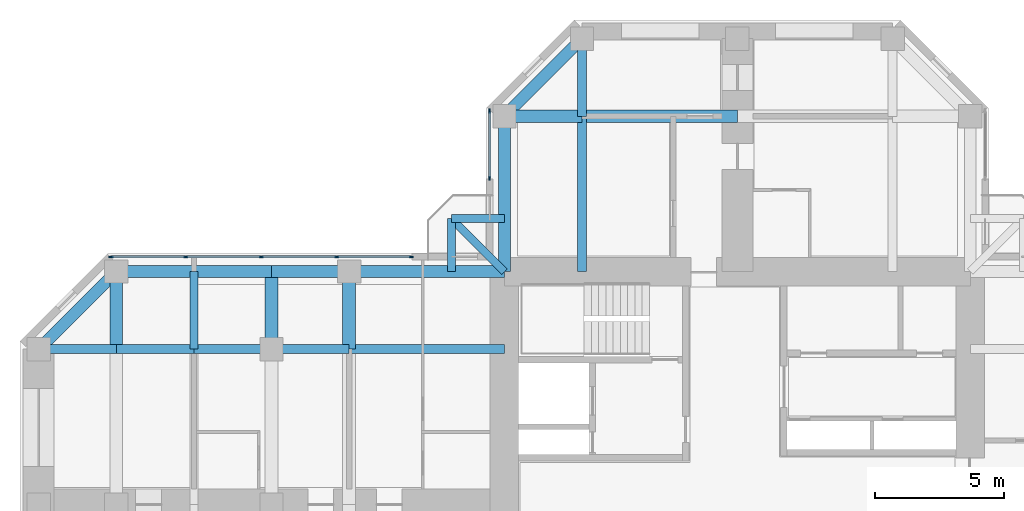
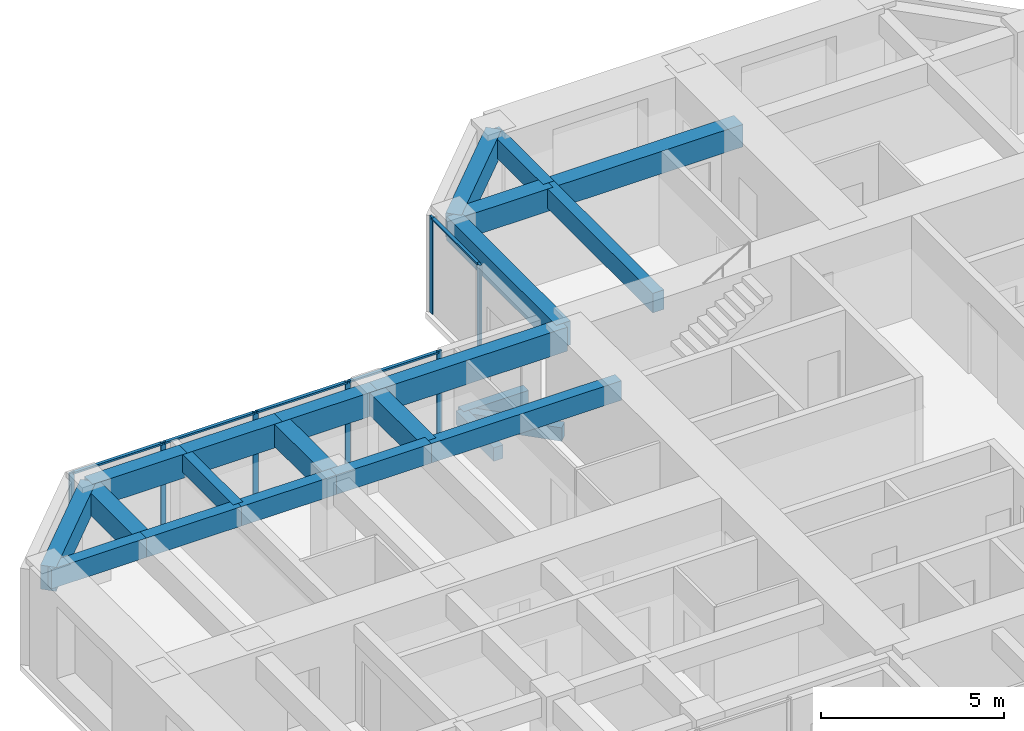
# One storey, part 5 of 14: 23 beams, 12 members, 2 elements without a shape of their own.
"""IFC4 building model written with IfcOpenShell, lengths in metres."""

from ifc_helpers import new_model, si_unit, direction, frame, origin, origin_2d, place, context, subcontext, project, spatial, rectangle, extrude, material, material_profile, profile_set, type_object, element, aggregate, save


model = new_model("IFC4")

# Units and contexts
model_context = context("Model", 3, precision=1e-05, world=origin(), true_north=direction((0.0, 1.0)))
body_context = subcontext(model_context, "Body", "Model", "MODEL_VIEW")
ifc_project = project(units=[si_unit("LENGTHUNIT", "METRE"), si_unit("AREAUNIT", "SQUARE_METRE"), si_unit("VOLUMEUNIT", "CUBIC_METRE"), si_unit("PLANEANGLEUNIT", "RADIAN"), si_unit("MASSUNIT", "GRAM", prefix="KILO")], contexts=[model_context])

# Site, building, storey
site_placement = place(None, origin())
site = spatial("IfcSite", under=ifc_project, at=site_placement, CompositionType="ELEMENT")
building_placement = place(site_placement, origin())
building = spatial("IfcBuilding", under=site, at=building_placement, Name="Torre Cruceta", CompositionType="ELEMENT")
storey_placement = place(building_placement, frame((0.0, 0.0, 169.5)))
storey = spatial("IfcBuildingStorey", under=building, at=storey_placement, Name="L41", CompositionType="ELEMENT", Elevation=169.5)

# Beams
ifc_material_1 = material(Name="Concrete G60 (fck 60 MPa)", Category="concrete")
ifc_material_profile_1 = material_profile(ifc_material_1, rectangle(XDim=0.300048828125, YDim=0.449951171875, at=origin_2d()), Name="RC 300X450")
ifc_profile_set_1 = profile_set([ifc_material_profile_1], Name="Concrete G60 (fck 60 MPa)")
beam_type_1 = type_object("IfcBeamType", Name="BALCONY CANTILEVER BEAM RC 300X450", PredefinedType="BEAM", material=ifc_profile_set_1)
beam_1_placement = place(storey_placement, frame((-9.0, 9.0, -0.405029296875), z_axis=(-0.707106781187, 0.707106781187, 0.0), x_axis=(-0.707106781187, -0.707106781187, 0.0)))
element("IfcBeam", 1, at=beam_1_placement, inside=storey, type_object=beam_type_1, Name="BB1 balcony beam L41 N", PredefinedType="BEAM", context=body_context, shape_type="SweptSolid", body=[
    extrude(rectangle(XDim=0.300048828125, YDim=0.449951171875, at=origin_2d()), origin(), (0.0, 0.0, 1.0), 2.89990234375),
])
for number, where, z_axis, x_axis, name in (
    (2, (-11.050537109375, 9.0, -0.405029296875), (0.0, 1.0, 0.0), (-1.0, 0.0, 0.0), "BB1 balcony edge beam L41 N-X"),
    (3, (-9.0, 11.050537109375, -0.405029296875), (-1.0, 0.0, 0.0), (0.0, -1.0, 0.0), "BB1 balcony edge beam L41 N-Y"),
):
    element("IfcBeam", number, at=place(storey_placement, frame(where, z_axis=z_axis, x_axis=x_axis)), inside=storey, type_object=beam_type_1, Name=name, PredefinedType="BEAM", context=body_context, shape_type="SweptSolid", body=[
        extrude(rectangle(XDim=0.300048828125, YDim=0.449951171875, at=origin_2d()), origin(), (0.0, 0.0, 1.0), 2.050537109375),
    ])
ifc_material_2 = material(Name="Concrete G60 (fck 60 MPa)", Category="concrete")
ifc_material_profile_2 = material_profile(ifc_material_2, rectangle(XDim=0.35009765625, YDim=0.64990234375, at=origin_2d()), Name="RC 350X650")
ifc_profile_set_2 = profile_set([ifc_material_profile_2], Name="Concrete G60 (fck 60 MPa)")
beam_type_2 = type_object("IfcBeamType", Name="COLUMN LINE BEAM RC 350X650", PredefinedType="BEAM", material=ifc_profile_set_2)
beam_2_placement = place(storey_placement, frame((-6.0, 9.0, 2.89501953125), z_axis=(0.0, 1.0, 0.0), x_axis=(-1.0, 0.0, 0.0)))
element("IfcBeam", 4, at=beam_2_placement, inside=storey, type_object=beam_type_2, Name="LB7 L41 N col+ 1", PredefinedType="BEAM", context=body_context, shape_type="SweptSolid", body=[
    extrude(rectangle(XDim=0.35009765625, YDim=0.64990234375, at=origin_2d()), origin(), (0.0, 0.0, 1.0), 6.0),
])
beam_3_placement = place(storey_placement, frame((-6.0, 15.0, 2.89501953125), z_axis=(0.0, 1.0, 0.0), x_axis=(-1.0, 0.0, 0.0)))
element("IfcBeam", 5, at=beam_3_placement, inside=storey, type_object=beam_type_2, Name="LB7 L41 N col+ 2", PredefinedType="BEAM", context=body_context, shape_type="SweptSolid", body=[
    extrude(rectangle(XDim=0.35009765625, YDim=0.64990234375, at=origin_2d()), origin(), (0.0, 0.0, 1.0), 3.0),
])
beam_4_placement = place(storey_placement, frame((-9.0, 6.0, 2.89501953125), z_axis=(-1.0, 0.0, 0.0), x_axis=(0.0, -1.0, 0.0)))
element("IfcBeam", 6, at=beam_4_placement, inside=storey, type_object=beam_type_2, Name="LB7 L41 W col- 1", PredefinedType="BEAM", context=body_context, shape_type="SweptSolid", body=[
    extrude(rectangle(XDim=0.35009765625, YDim=0.64990234375, at=origin_2d()), origin(), (0.0, 0.0, 1.0), 6.0),
])
for number, where, z_axis, x_axis, name in (
    (7, (-15.0, 6.0, 2.89501953125), (-1.0, 0.0, 0.0), (0.0, -1.0, 0.0), "LB7 L41 W col- 2"),
    (8, (-18.0, 6.0, 2.89501953125), (-1.0, 0.0, 0.0), (0.0, -1.0, 0.0), "LB7 L41 W col- 3"),
    (9, (-21.0, 6.0, 2.89501953125), (-1.0, 0.0, 0.0), (0.0, -1.0, 0.0), "LB7 L41 W col- 4"),
    (10, (-24.0, 6.0, 2.89501953125), (-1.0, 0.0, 0.0), (0.0, -1.0, 0.0), "LB7 L41 W col- 5"),
):
    element("IfcBeam", number, at=place(storey_placement, frame(where, z_axis=z_axis, x_axis=x_axis)), inside=storey, type_object=beam_type_2, Name=name, PredefinedType="BEAM", context=body_context, shape_type="SweptSolid", body=[
        extrude(rectangle(XDim=0.35009765625, YDim=0.64990234375, at=origin_2d()), origin(), (0.0, 0.0, 1.0), 3.0),
    ])
ifc_material_3 = material(Name="Concrete G60 (fck 60 MPa)", Category="concrete")
ifc_material_profile_3 = material_profile(ifc_material_3, rectangle(XDim=0.5, YDim=0.75, at=origin_2d()), Name="RC 500X750")
ifc_profile_set_3 = profile_set([ifc_material_profile_3], Name="Concrete G60 (fck 60 MPa)")
beam_type_3 = type_object("IfcBeamType", Name="CROSS BEAM RC 500X750", PredefinedType="BEAM", material=ifc_profile_set_3)
beam_5_placement = place(storey_placement, frame((0.0, 15.0, 2.844970703125), z_axis=(-1.0, 0.0, 0.0), x_axis=(0.0, -1.0, 0.0)))
element("IfcBeam", 11, at=beam_5_placement, inside=storey, type_object=beam_type_3, Name="GB6 L41 N cross15 3", PredefinedType="BEAM", context=body_context, shape_type="SweptSolid", body=[
    extrude(rectangle(XDim=0.5, YDim=0.75, at=origin_2d()), origin(), (0.0, 0.0, 1.0), 6.0),
])
for number, where, z_axis, x_axis, name in (
    (12, (-6.0, 15.0, 2.844970703125), (-1.0, 0.0, 0.0), (0.0, -1.0, 0.0), "GB6 L41 N cross15 4"),
    (13, (-15.0, 9.0, 2.844970703125), (0.0, -1.0, 0.0), (1.0, 0.0, 0.0), "GB6 L41 W cross15 1"),
    (14, (-18.0, 9.0, 2.844970703125), (0.0, -1.0, 0.0), (1.0, 0.0, 0.0), "GB6 L41 W cross18 1"),
    (15, (-24.0, 9.0, 2.844970703125), (0.0, -1.0, 0.0), (1.0, 0.0, 0.0), "GB6 L41 W cross24 1"),
):
    element("IfcBeam", number, at=place(storey_placement, frame(where, z_axis=z_axis, x_axis=x_axis)), inside=storey, type_object=beam_type_3, Name=name, PredefinedType="BEAM", context=body_context, shape_type="SweptSolid", body=[
        extrude(rectangle(XDim=0.5, YDim=0.75, at=origin_2d()), origin(), (0.0, 0.0, 1.0), 3.0),
    ])

# Curtain wall, members
ifc_material_4 = material(Name="Aluminium unitised curtain wall", Category="aluminium")
curtain_wall_type = type_object("IfcCurtainWallType", Name="CURTAIN WALL CW-C CO-LIVING", PredefinedType="USERDEFINED", material=ifc_material_4)
curtain_wall_1_placement = place(storey_placement, origin())
curtain_wall_1 = element("IfcCurtainWall", 16, at=curtain_wall_1_placement, inside=storey, type_object=curtain_wall_type, Name="CW-C L41 N side 09", ObjectType="UNITISED", PredefinedType="USERDEFINED")
ifc_material_5 = material(Name="Aluminium mullion", Category="aluminium")
ifc_material_profile_4 = material_profile(ifc_material_5, rectangle(XDim=0.06005859375, YDim=0.159912109375, at=origin_2d()), Name="AL 60X160")
ifc_profile_set_4 = profile_set([ifc_material_profile_4], Name="Aluminium mullion")
member_type_1 = type_object("IfcMemberType", Name="CW-C MULLION 60X160", PredefinedType="MULLION", material=ifc_profile_set_4)
member_1_placement = place(storey_placement, frame((-9.570068359375, 15.2060546875, 0.0), z_axis=(0.0, 0.0, 1.0), x_axis=(1.0, 0.0, 0.0)))
member_1 = element("IfcMember", 17, at=member_1_placement, type_object=member_type_1, Name="CW-C mullion 1", PredefinedType="MULLION", context=body_context, shape_type="SweptSolid", body=[
    extrude(rectangle(XDim=0.06005859375, YDim=0.159912109375, at=origin_2d()), origin(), (0.0, 0.0, 1.0), 3.219970703125),
])
member_2_placement = place(storey_placement, frame((-9.570068359375, 12.60009765625, 0.0), z_axis=(0.0, 0.0, 1.0), x_axis=(1.0, 0.0, 0.0)))
member_2 = element("IfcMember", 18, at=member_2_placement, type_object=member_type_1, Name="CW-C mullion 2", PredefinedType="MULLION", context=body_context, shape_type="SweptSolid", body=[
    extrude(rectangle(XDim=0.06005859375, YDim=0.159912109375, at=origin_2d()), origin(), (0.0, 0.0, 1.0), 3.219970703125),
])

curtain_wall_2_placement = place(storey_placement, origin())
curtain_wall_2 = element("IfcCurtainWall", 19, at=curtain_wall_2_placement, inside=storey, type_object=curtain_wall_type, Name="CW-C L41 W side 10", ObjectType="UNITISED", PredefinedType="USERDEFINED")
member_3_placement = place(storey_placement, frame((-12.60009765625, 9.570068359375, 0.0), z_axis=(0.0, 0.0, 1.0), x_axis=(0.0, -1.0, 0.0)))
member_3 = element("IfcMember", 20, at=member_3_placement, type_object=member_type_1, Name="CW-C mullion 1", PredefinedType="MULLION", context=body_context, shape_type="SweptSolid", body=[
    extrude(rectangle(XDim=0.06005859375, YDim=0.159912109375, at=origin_2d()), origin(), (0.0, 0.0, 1.0), 3.219970703125),
])
member_4_placement = place(storey_placement, frame((-15.486572265625, 9.570068359375, 0.0), z_axis=(0.0, 0.0, 1.0), x_axis=(0.0, -1.0, 0.0)))
member_4 = element("IfcMember", 21, at=member_4_placement, type_object=member_type_1, Name="CW-C mullion 2", PredefinedType="MULLION", context=body_context, shape_type="SweptSolid", body=[
    extrude(rectangle(XDim=0.06005859375, YDim=0.159912109375, at=origin_2d()), origin(), (0.0, 0.0, 1.0), 3.219970703125),
])
member_5_placement = place(storey_placement, frame((-18.403076171875, 9.570068359375, 0.0), z_axis=(0.0, 0.0, 1.0), x_axis=(0.0, -1.0, 0.0)))
member_5 = element("IfcMember", 22, at=member_5_placement, type_object=member_type_1, Name="CW-C mullion 3", PredefinedType="MULLION", context=body_context, shape_type="SweptSolid", body=[
    extrude(rectangle(XDim=0.06005859375, YDim=0.159912109375, at=origin_2d()), origin(), (0.0, 0.0, 1.0), 3.219970703125),
])
member_6_placement = place(storey_placement, frame((-21.319580078125, 9.570068359375, 0.0), z_axis=(0.0, 0.0, 1.0), x_axis=(0.0, -1.0, 0.0)))
member_6 = element("IfcMember", 23, at=member_6_placement, type_object=member_type_1, Name="CW-C mullion 4", PredefinedType="MULLION", context=body_context, shape_type="SweptSolid", body=[
    extrude(rectangle(XDim=0.06005859375, YDim=0.159912109375, at=origin_2d()), origin(), (0.0, 0.0, 1.0), 3.219970703125),
])
member_7_placement = place(storey_placement, frame((-24.2060546875, 9.570068359375, 0.0), z_axis=(0.0, 0.0, 1.0), x_axis=(0.0, -1.0, 0.0)))
member_7 = element("IfcMember", 24, at=member_7_placement, type_object=member_type_1, Name="CW-C mullion 5", PredefinedType="MULLION", context=body_context, shape_type="SweptSolid", body=[
    extrude(rectangle(XDim=0.06005859375, YDim=0.159912109375, at=origin_2d()), origin(), (0.0, 0.0, 1.0), 3.219970703125),
])

# Member
ifc_material_6 = material(Name="Aluminium transom", Category="aluminium")
ifc_material_profile_5 = material_profile(ifc_material_6, rectangle(XDim=0.10009765625, YDim=0.06005859375, at=origin_2d()), Name="AL 100X60")
ifc_profile_set_5 = profile_set([ifc_material_profile_5], Name="Aluminium transom")
member_type_2 = type_object("IfcMemberType", Name="CW-C TRANSOM 60X100", PredefinedType="USERDEFINED", material=ifc_profile_set_5)
member_8_placement = place(storey_placement, frame((-9.570068359375, 15.176025390625, 3.18994140625), z_axis=(0.0, -1.0, 0.0), x_axis=(1.0, 0.0, 0.0)))
member_8 = element("IfcMember", 25, at=member_8_placement, type_object=member_type_2, Name="CW-C transom 1", ObjectType="TRANSOM", PredefinedType="USERDEFINED", context=body_context, shape_type="SweptSolid", body=[
    extrude(rectangle(XDim=0.10009765625, YDim=0.06005859375, at=origin_2d()), origin(), (0.0, 0.0, 1.0), 2.546142578125),
])

aggregate(curtain_wall_1, [member_1, member_2, member_8])

member_9_placement = place(storey_placement, frame((-12.6298828125, 9.570068359375, 3.18994140625), z_axis=(-1.0, 0.0, 0.0), x_axis=(0.0, -1.0, 0.0)))
member_9 = element("IfcMember", 26, at=member_9_placement, type_object=member_type_2, Name="CW-C transom 1", ObjectType="TRANSOM", PredefinedType="USERDEFINED", context=body_context, shape_type="SweptSolid", body=[
    extrude(rectangle(XDim=0.10009765625, YDim=0.06005859375, at=origin_2d()), origin(), (0.0, 0.0, 1.0), 2.82666015625),
])

member_10_placement = place(storey_placement, frame((-15.5166015625, 9.570068359375, 3.18994140625), z_axis=(-1.0, 0.0, 0.0), x_axis=(0.0, -1.0, 0.0)))
member_10 = element("IfcMember", 27, at=member_10_placement, type_object=member_type_2, Name="CW-C transom 2", ObjectType="TRANSOM", PredefinedType="USERDEFINED", context=body_context, shape_type="SweptSolid", body=[
    extrude(rectangle(XDim=0.10009765625, YDim=0.06005859375, at=origin_2d()), origin(), (0.0, 0.0, 1.0), 2.8564453125),
])

member_11_placement = place(storey_placement, frame((-18.43310546875, 9.570068359375, 3.18994140625), z_axis=(-1.0, 0.0, 0.0), x_axis=(0.0, -1.0, 0.0)))
member_11 = element("IfcMember", 28, at=member_11_placement, type_object=member_type_2, Name="CW-C transom 3", ObjectType="TRANSOM", PredefinedType="USERDEFINED", context=body_context, shape_type="SweptSolid", body=[
    extrude(rectangle(XDim=0.10009765625, YDim=0.06005859375, at=origin_2d()), origin(), (0.0, 0.0, 1.0), 2.8564453125),
])

member_12_placement = place(storey_placement, frame((-21.349609375, 9.570068359375, 3.18994140625), z_axis=(-1.0, 0.0, 0.0), x_axis=(0.0, -1.0, 0.0)))
member_12 = element("IfcMember", 29, at=member_12_placement, type_object=member_type_2, Name="CW-C transom 4", ObjectType="TRANSOM", PredefinedType="USERDEFINED", context=body_context, shape_type="SweptSolid", body=[
    extrude(rectangle(XDim=0.10009765625, YDim=0.06005859375, at=origin_2d()), origin(), (0.0, 0.0, 1.0), 2.826416015625),
])

aggregate(curtain_wall_2, [member_3, member_4, member_5, member_6, member_7, member_9, member_10, member_11, member_12])

# Beams
ifc_material_7 = material(Name="Concrete G60 (fck 60 MPa)", Category="concrete")
ifc_material_profile_6 = material_profile(ifc_material_7, rectangle(XDim=0.300048828125, YDim=0.60009765625, at=origin_2d()), Name="RC 300X600")
ifc_profile_set_6 = profile_set([ifc_material_profile_6], Name="Concrete G60 (fck 60 MPa)")
beam_type_4 = type_object("IfcBeamType", Name="SECONDARY BEAM RC 300X600", PredefinedType="JOIST", material=ifc_profile_set_6)
beam_6_placement = place(storey_placement, frame((-21.0, 9.0, 2.919921875), z_axis=(0.0, -1.0, 0.0), x_axis=(1.0, 0.0, 0.0)))
element("IfcBeam", 30, at=beam_6_placement, inside=storey, type_object=beam_type_4, Name="JB6 L41 W sec21 1", PredefinedType="JOIST", context=body_context, shape_type="SweptSolid", body=[
    extrude(rectangle(XDim=0.300048828125, YDim=0.60009765625, at=origin_2d()), origin(), (0.0, 0.0, 1.0), 3.0),
])
ifc_material_8 = material(Name="Concrete G60 (fck 60 MPa)", Category="concrete")
ifc_material_profile_7 = material_profile(ifc_material_8, rectangle(XDim=0.449951171875, YDim=0.800048828125, at=origin_2d()), Name="RC 450X800")
ifc_profile_set_7 = profile_set([ifc_material_profile_7], Name="Concrete G60 (fck 60 MPa)")
beam_type_5 = type_object("IfcBeamType", Name="SPANDREL BEAM RC 450X800", PredefinedType="SPANDREL", material=ifc_profile_set_7)
beam_7_placement = place(storey_placement, frame((-9.0, 9.0, 2.820068359375), z_axis=(0.0, 1.0, 0.0), x_axis=(-1.0, 0.0, 0.0)))
element("IfcBeam", 31, at=beam_7_placement, inside=storey, type_object=beam_type_5, Name="SB6 L41 N side+ 1", PredefinedType="SPANDREL", context=body_context, shape_type="SweptSolid", body=[
    extrude(rectangle(XDim=0.449951171875, YDim=0.800048828125, at=origin_2d()), origin(), (0.0, 0.0, 1.0), 6.0),
])
beam_8_placement = place(storey_placement, frame((-9.0, 15.0, 2.820068359375), z_axis=(0.707106781187, 0.707106781187, 0.0), x_axis=(-0.707106781187, 0.707106781187, 0.0)))
element("IfcBeam", 32, at=beam_8_placement, inside=storey, type_object=beam_type_5, Name="SB6 L41 N side+ 2", PredefinedType="SPANDREL", context=body_context, shape_type="SweptSolid", body=[
    extrude(rectangle(XDim=0.449951171875, YDim=0.800048828125, at=origin_2d()), origin(), (0.0, 0.0, 1.0), 4.24267578125),
])
beam_9_placement = place(storey_placement, frame((-9.0, 9.0, 2.820068359375), z_axis=(-1.0, 0.0, 0.0), x_axis=(0.0, -1.0, 0.0)))
element("IfcBeam", 33, at=beam_9_placement, inside=storey, type_object=beam_type_5, Name="SB6 L41 W side- 1", PredefinedType="SPANDREL", context=body_context, shape_type="SweptSolid", body=[
    extrude(rectangle(XDim=0.449951171875, YDim=0.800048828125, at=origin_2d()), origin(), (0.0, 0.0, 1.0), 6.0),
])
for number, where, z_axis, x_axis, name in (
    (34, (-15.0, 9.0, 2.820068359375), (-1.0, 0.0, 0.0), (0.0, -1.0, 0.0), "SB6 L41 W side- 2"),
    (35, (-18.0, 9.0, 2.820068359375), (-1.0, 0.0, 0.0), (0.0, -1.0, 0.0), "SB6 L41 W side- 3"),
    (36, (-21.0, 9.0, 2.820068359375), (-1.0, 0.0, 0.0), (0.0, -1.0, 0.0), "SB6 L41 W side- 4"),
):
    element("IfcBeam", number, at=place(storey_placement, frame(where, z_axis=z_axis, x_axis=x_axis)), inside=storey, type_object=beam_type_5, Name=name, PredefinedType="SPANDREL", context=body_context, shape_type="SweptSolid", body=[
        extrude(rectangle(XDim=0.449951171875, YDim=0.800048828125, at=origin_2d()), origin(), (0.0, 0.0, 1.0), 3.0),
    ])
beam_10_placement = place(storey_placement, frame((-24.0, 9.0, 2.820068359375), z_axis=(-0.707106781187, -0.707106781187, 0.0), x_axis=(0.707106781187, -0.707106781187, 0.0)))
element("IfcBeam", 37, at=beam_10_placement, inside=storey, type_object=beam_type_5, Name="SB6 L41 W side- 5", PredefinedType="SPANDREL", context=body_context, shape_type="SweptSolid", body=[
    extrude(rectangle(XDim=0.449951171875, YDim=0.800048828125, at=origin_2d()), origin(), (0.0, 0.0, 1.0), 4.24267578125),
])

save(model, "model.ifc")
